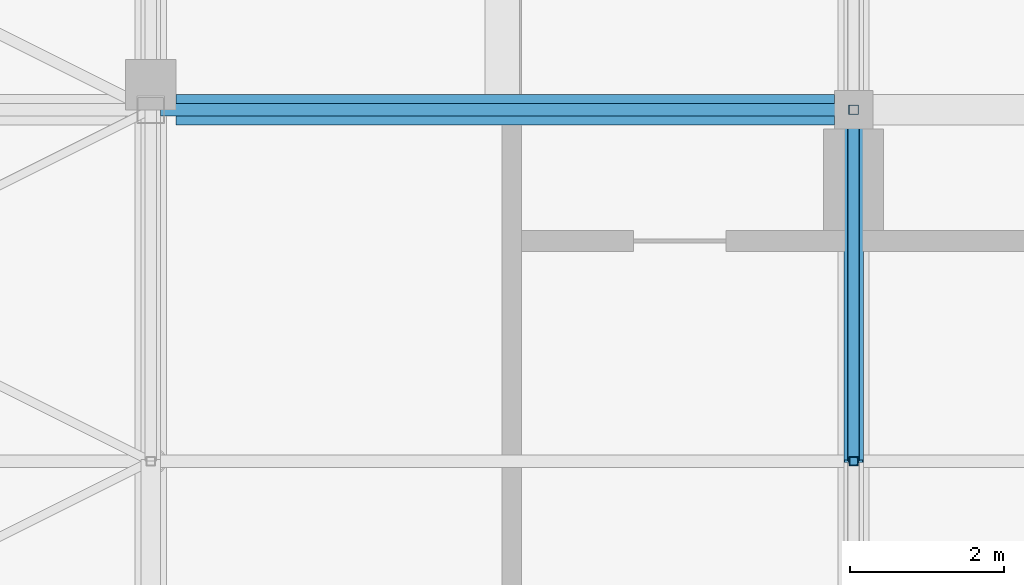
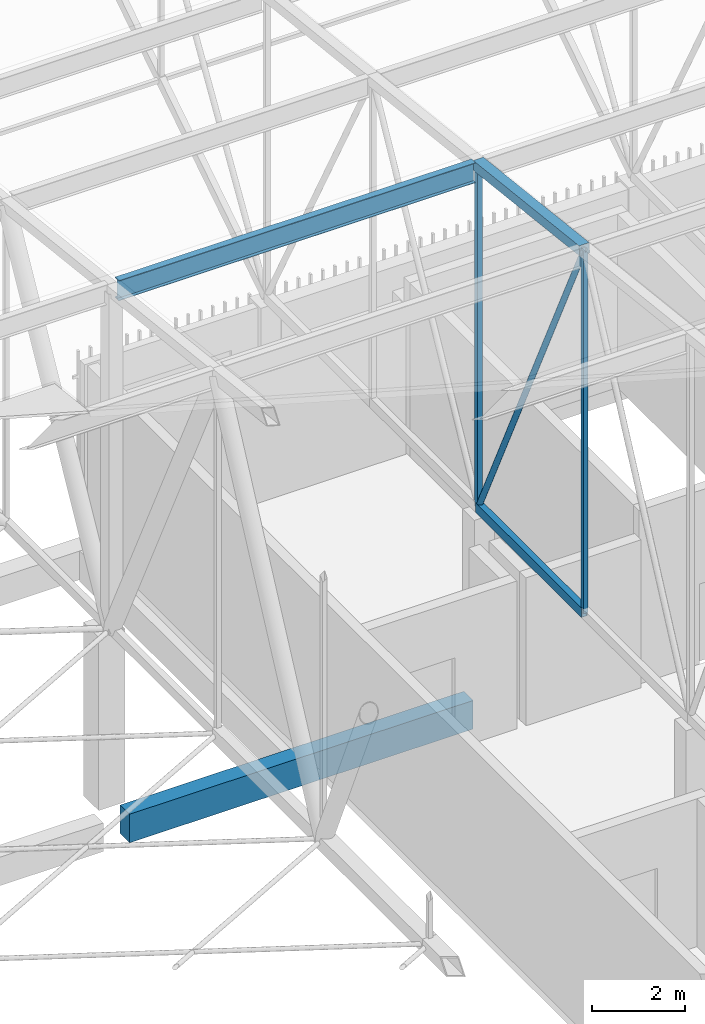
# One storey, part 316 of 500: 6 members, 1 beam.
"""IFC4 building model written with IfcOpenShell, lengths in metres."""

from ifc_helpers import new_model, si_unit, direction, frame, origin, origin_2d, place, context, subcontext, project, spatial, rectangle, hollow_rectangle, hollow_circle, i_section, extrude, material, material_profile, profile_set, type_object, element, save


model = new_model("IFC4")

# Units and contexts
model_context = context("Model", 3, precision=1e-05, world=origin(), true_north=direction((0.0, 1.0)))
body_context = subcontext(model_context, "Body", "Model", "MODEL_VIEW")
ifc_project = project(units=[si_unit("LENGTHUNIT", "METRE"), si_unit("AREAUNIT", "SQUARE_METRE"), si_unit("VOLUMEUNIT", "CUBIC_METRE"), si_unit("PLANEANGLEUNIT", "RADIAN"), si_unit("MASSUNIT", "GRAM", prefix="KILO")], contexts=[model_context])

# Site, building, storey
site_placement = place(None, origin())
site = spatial("IfcSite", under=ifc_project, at=site_placement, CompositionType="ELEMENT")
building_placement = place(site_placement, origin())
building = spatial("IfcBuilding", under=site, at=building_placement, Name="Shirokan Park Arena", CompositionType="ELEMENT")
storey_placement = place(building_placement, frame((0.0, 0.0, 29.1201171875)))
storey = spatial("IfcBuildingStorey", under=building, at=storey_placement, Name="L06", CompositionType="ELEMENT", Elevation=29.1201171875)

# Members
ifc_material_1 = material(Name="Steel ASTM A500 Grade C", Category="steel")
ifc_material_profile_1 = material_profile(ifc_material_1, hollow_rectangle(XDim=0.152099609375, YDim=0.25390625, WallThickness=0.009521484375, at=origin_2d()), Name="HSS254X152.4X9.5")
ifc_profile_set_1 = profile_set([ifc_material_profile_1], Name="Steel ASTM A500 Grade C")
member_type_1 = type_object("IfcMemberType", Name="Bottom chord HSS254X152.4X9.5", PredefinedType="CHORD", material=ifc_profile_set_1)
member_1_placement = place(storey_placement, frame((109.199951171875, 95.550048828125, 4.677001953125), z_axis=(0.0, 1.0, 0.0), x_axis=(-1.0, 0.0, 0.0)))
element("IfcMember", 1, at=member_1_placement, inside=storey, type_object=member_type_1, Name="Truss T13 bottom chord 24", PredefinedType="CHORD", context=body_context, shape_type="SweptSolid", body=[
    extrude(hollow_rectangle(XDim=0.152099609375, YDim=0.25390625, WallThickness=0.009521484375, at=origin_2d()), origin(), (0.0, 0.0, 1.0), 4.550048828125),
])
ifc_material_2 = material(Name="Steel ASTM A992", Category="steel")
ifc_material_profile_2 = material_profile(ifc_material_2, i_section(OverallWidth=0.166015625, OverallDepth=0.528076171875, WebThickness=0.009765625, FlangeThickness=0.013671875, at=origin_2d()), Name="W530X74")
ifc_profile_set_2 = profile_set([ifc_material_profile_2], Name="Steel ASTM A992")
member_type_2 = type_object("IfcMemberType", Name="Purlin W530X74", PredefinedType="PURLIN", material=ifc_profile_set_2)
member_2_placement = place(storey_placement, frame((100.22705078125, 100.10009765625, 13.52587890625), z_axis=(1.0, 0.0, 0.0), x_axis=(0.0, 1.0, 0.0)))
element("IfcMember", 2, at=member_2_placement, inside=storey, type_object=member_type_2, Name="Purlin 25 bay 12", PredefinedType="PURLIN", context=body_context, shape_type="SweptSolid", body=[
    extrude(i_section(OverallWidth=0.166015625, OverallDepth=0.528076171875, WebThickness=0.009765625, FlangeThickness=0.013671875, at=origin_2d()), origin(), (0.0, 0.0, 1.0), 8.845947265625),
])

# Beam
ifc_material_3 = material(Name="Concrete C35", Category="concrete")
ifc_material_profile_3 = material_profile(ifc_material_3, rectangle(XDim=0.39990234375, YDim=0.75, at=origin_2d()), Name="400x750")
ifc_profile_set_3 = profile_set([ifc_material_profile_3], Name="Concrete C35")
beam_type = type_object("IfcBeamType", Name="RC girder 400x750", PredefinedType="BEAM", material=ifc_profile_set_3)
beam_placement = place(storey_placement, frame((100.425048828125, 100.10009765625, -0.5751953125), z_axis=(1.0, 0.0, 0.0), x_axis=(0.0, 1.0, 0.0)))
element("IfcBeam", 3, at=beam_placement, inside=storey, type_object=beam_type, Name="Girder 12M-13M L06", PredefinedType="BEAM", context=body_context, shape_type="SweptSolid", body=[
    extrude(rectangle(XDim=0.39990234375, YDim=0.75, at=origin_2d()), origin(), (0.0, 0.0, 1.0), 8.52490234375),
])

# Members
ifc_material_profile_4 = material_profile(ifc_material_1, hollow_rectangle(XDim=0.25390625, YDim=0.25390625, WallThickness=0.009521484375, at=origin_2d()), Name="HSS254X254X9.5")
ifc_profile_set_4 = profile_set([ifc_material_profile_4], Name="Steel ASTM A500 Grade C")
member_type_3 = type_object("IfcMemberType", Name="Top chord HSS254X254X9.5", PredefinedType="CHORD", material=ifc_profile_set_4)
member_3_placement = place(storey_placement, frame((109.199951171875, 95.550048828125, 14.182861328125), z_axis=(0.0, 0.993532328996, -0.113549598152), x_axis=(-1.0, 0.0, 0.0)))
element("IfcMember", 4, at=member_3_placement, inside=storey, type_object=member_type_3, Name="Truss T13 top chord 24", PredefinedType="CHORD", context=body_context, shape_type="SweptSolid", body=[
    extrude(hollow_rectangle(XDim=0.25390625, YDim=0.25390625, WallThickness=0.009521484375, at=origin_2d()), origin(), (0.0, 0.0, 1.0), 4.57958984375),
])
ifc_material_profile_5 = material_profile(ifc_material_1, hollow_circle(Radius=0.070556640625, WallThickness=0.006591796875, at=origin_2d()), Name="HSS141.3X6.6")
ifc_profile_set_5 = profile_set([ifc_material_profile_5], Name="Steel ASTM A500 Grade C")
member_type_4 = type_object("IfcMemberType", Name="Truss diagonal HSS141.3X6.6", PredefinedType="BRACE", material=ifc_profile_set_5)
member_4_placement = place(storey_placement, frame((109.199951171875, 95.550048828125, 14.182861328125), z_axis=(0.0, 0.431746476626, -0.901994999942), x_axis=(-1.0, 0.0, 0.0)))
element("IfcMember", 5, at=member_4_placement, inside=storey, type_object=member_type_4, Name="Truss T13 diagonal 24", PredefinedType="BRACE", context=body_context, shape_type="SweptSolid", body=[
    extrude(hollow_circle(Radius=0.070556640625, WallThickness=0.006591796875, at=origin_2d()), origin(), (0.0, 0.0, 1.0), 10.538818359375),
])
ifc_material_profile_6 = material_profile(ifc_material_1, hollow_rectangle(XDim=0.114013671875, YDim=0.114013671875, WallThickness=0.00634765625, at=origin_2d()), Name="HSS114.3X114.3X6.4")
ifc_profile_set_6 = profile_set([ifc_material_profile_6], Name="Steel ASTM A500 Grade C")
member_type_5 = type_object("IfcMemberType", Name="Truss post HSS114.3X114.3X6.4", PredefinedType="POST", material=ifc_profile_set_6)
member_5_placement = place(storey_placement, frame((109.199951171875, 95.550048828125, 4.677001953125), z_axis=(0.0, 0.0, 1.0), x_axis=(1.0, 0.0, 0.0)))
element("IfcMember", 6, at=member_5_placement, inside=storey, type_object=member_type_5, Name="Truss T13 post 24", PredefinedType="POST", context=body_context, shape_type="SweptSolid", body=[
    extrude(hollow_rectangle(XDim=0.114013671875, YDim=0.114013671875, WallThickness=0.00634765625, at=origin_2d()), origin(), (0.0, 0.0, 1.0), 9.505859375),
])
ifc_material_profile_7 = material_profile(ifc_material_1, hollow_rectangle(XDim=0.126953125, YDim=0.126953125, WallThickness=0.008056640625, at=origin_2d()), Name="HSS127X127X7.9")
ifc_profile_set_7 = profile_set([ifc_material_profile_7], Name="Steel ASTM A500 Grade C")
member_type_6 = type_object("IfcMemberType", Name="Truss post HSS127X127X7.9", PredefinedType="POST", material=ifc_profile_set_7)
member_6_placement = place(storey_placement, frame((109.199951171875, 100.10009765625, 4.677001953125), z_axis=(0.0, 0.0, 1.0), x_axis=(1.0, 0.0, 0.0)))
element("IfcMember", 7, at=member_6_placement, inside=storey, type_object=member_type_6, Name="Truss T13 post 25", PredefinedType="POST", context=body_context, shape_type="SweptSolid", body=[
    extrude(hollow_rectangle(XDim=0.126953125, YDim=0.126953125, WallThickness=0.008056640625, at=origin_2d()), origin(), (0.0, 0.0, 1.0), 8.98583984375),
])

save(model, "model.ifc")
